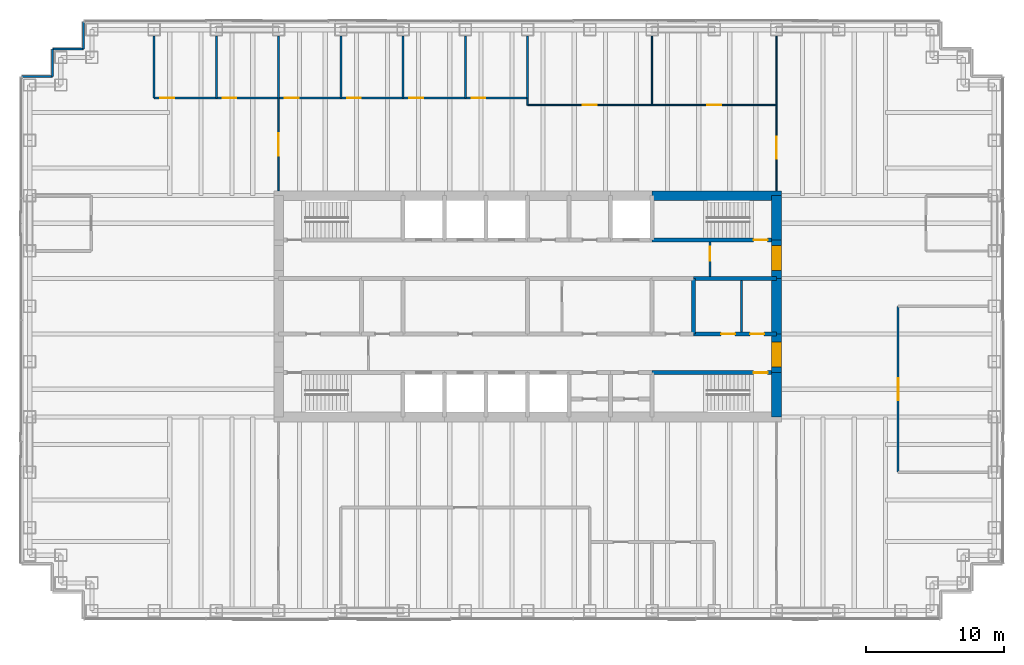
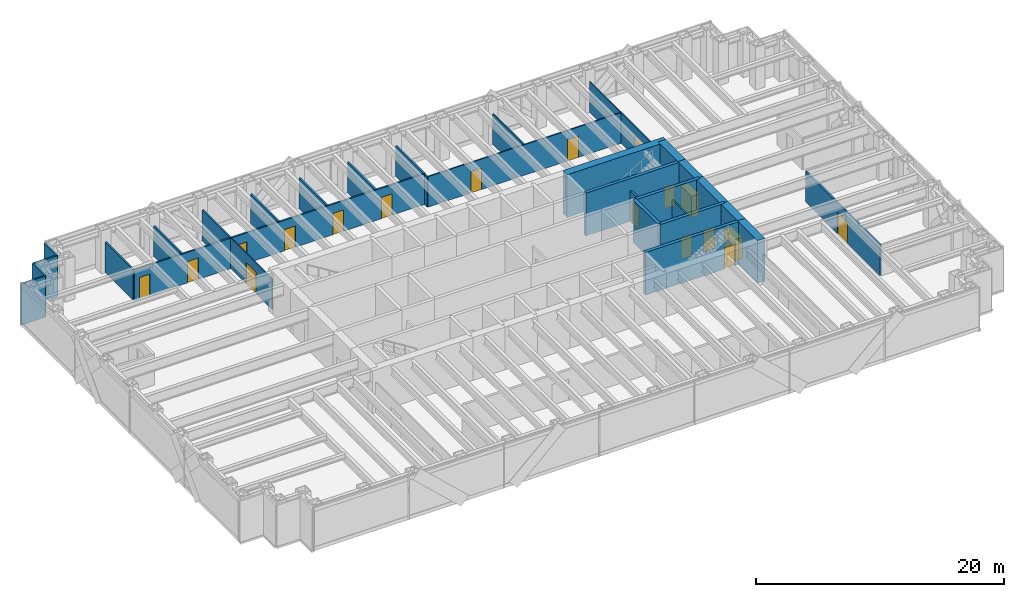
# One storey, part 15 of 17: 31 walls, 18 doors, 18 openings.
"""IFC4 building model written with IfcOpenShell, lengths in metres."""

from ifc_helpers import new_model, si_unit, direction, frame, frame_2d, origin, place, context, subcontext, project, spatial, rectangle, extrude, material, layer, layer_set, type_object, element, fill, save


model = new_model("IFC4")

# Units and contexts
model_context = context("Model", 3, precision=1e-05, world=origin(), true_north=direction((0.0, 1.0)))
body_context = subcontext(model_context, "Body", "Model", "MODEL_VIEW")
ifc_project = project(units=[si_unit("LENGTHUNIT", "METRE"), si_unit("AREAUNIT", "SQUARE_METRE"), si_unit("VOLUMEUNIT", "CUBIC_METRE"), si_unit("PLANEANGLEUNIT", "RADIAN"), si_unit("MASSUNIT", "GRAM", prefix="KILO")], contexts=[model_context])

# Site, building, storey
site_placement = place(None, origin())
site = spatial("IfcSite", under=ifc_project, at=site_placement, CompositionType="ELEMENT")
building_placement = place(site_placement, origin())
building = spatial("IfcBuilding", under=site, at=building_placement, Name="Rheinbord Bourse Tower", CompositionType="ELEMENT")
storey_placement = place(building_placement, frame((0.0, 0.0, 321.5)))
storey = spatial("IfcBuildingStorey", under=building, at=storey_placement, Name="L73", CompositionType="ELEMENT", Elevation=321.5)

# Wall, opening, door
ifc_material_1 = material(Name="Concrete C50/60", Category="concrete")
ifc_layer_1 = layer(ifc_material_1, 0.300048828125)
ifc_layer_set_1 = layer_set([ifc_layer_1], Name="CORE INNER WALL 300")
wall_type_1 = type_object("IfcWallType", Name="CORE INNER WALL 300", PredefinedType="SOLIDWALL", material=ifc_layer_set_1)
wall_1_placement = place(storey_placement, frame((45.0, 19.199951171875, 0.0), z_axis=(0.0, 0.0, 1.0), x_axis=(1.0, 0.0, 0.0)))
wall_1 = element("IfcWall", 1, at=wall_1_placement, inside=storey, type_object=wall_type_1, Name="Core wall A8 L73", PredefinedType="SOLIDWALL", context=body_context, shape_type="SweptSolid", body=[
    extrude(rectangle(XDim=9.0, YDim=0.300048828125, at=frame_2d((4.5, 0.0))), origin(), (0.0, 0.0, 1.0), 4.199951171875),
])
opening_1_placement = place(wall_1_placement, frame((7.35009765625, 0.0, 0.0)))
opening_1 = element("IfcOpeningElement", 2, at=opening_1_placement, cuts=wall_1, Name="Opening 7330", PredefinedType="OPENING", context=body_context, shape_type="SweptSolid", body=[
    extrude(rectangle(XDim=1.0, YDim=2.10009765625, at=frame_2d((0.5, 1.050048828125))), frame((0.0, 0.159912109375, 0.0), z_axis=(0.0, -1.0, 0.0), x_axis=(1.0, 0.0, 0.0)), (0.0, 0.0, 1.0), 0.320068359375),
])
ifc_material_2 = material(Name="Steel door", Category="steel")
door_type_1 = type_object("IfcDoorType", Name="DOOR 1000 EI30", OperationType="SINGLE_SWING_LEFT", PredefinedType="DOOR", material=ifc_material_2)
door_1_placement = place(opening_1_placement, origin())
door_1 = element("IfcDoor", 3, at=door_1_placement, inside=storey, type_object=door_type_1, Name="Stair door ST3 L73", OperationType="SINGLE_SWING_RIGHT", OverallHeight=2.10009765625, OverallWidth=1.0, PredefinedType="DOOR", context=body_context, shape_type="SweptSolid", body=[
    extrude(rectangle(XDim=1.0, YDim=2.10009765625, at=frame_2d((0.5, 1.050048828125))), frame((0.0, 0.02490234375, 0.0), z_axis=(0.0, -1.0, 0.0), x_axis=(1.0, 0.0, 0.0)), (0.0, 0.0, 1.0), 0.050048828125),
])
fill(opening_1, door_1)

wall_2_placement = place(storey_placement, frame((45.0, 28.800048828125, 0.0), z_axis=(0.0, 0.0, 1.0), x_axis=(1.0, 0.0, 0.0)))
wall_2 = element("IfcWall", 4, at=wall_2_placement, inside=storey, type_object=wall_type_1, Name="Core wall B8 L73", PredefinedType="SOLIDWALL", context=body_context, shape_type="SweptSolid", body=[
    extrude(rectangle(XDim=9.0, YDim=0.300048828125, at=frame_2d((4.5, 0.0))), origin(), (0.0, 0.0, 1.0), 4.199951171875),
])
opening_2_placement = place(wall_2_placement, frame((7.35009765625, 0.0, 0.0)))
opening_2 = element("IfcOpeningElement", 5, at=opening_2_placement, cuts=wall_2, Name="Opening 7340", PredefinedType="OPENING", context=body_context, shape_type="SweptSolid", body=[
    extrude(rectangle(XDim=1.0, YDim=2.10009765625, at=frame_2d((0.5, 1.050048828125))), frame((0.0, 0.159912109375, 0.0), z_axis=(0.0, -1.0, 0.0), x_axis=(1.0, 0.0, 0.0)), (0.0, 0.0, 1.0), 0.320068359375),
])
door_2_placement = place(opening_2_placement, origin())
door_2 = element("IfcDoor", 6, at=door_2_placement, inside=storey, type_object=door_type_1, Name="Stair door ST4 L73", OperationType="SINGLE_SWING_RIGHT", OverallHeight=2.10009765625, OverallWidth=1.0, PredefinedType="DOOR", context=body_context, shape_type="SweptSolid", body=[
    extrude(rectangle(XDim=1.0, YDim=2.10009765625, at=frame_2d((0.5, 1.050048828125))), frame((0.0, 0.02490234375, 0.0), z_axis=(0.0, -1.0, 0.0), x_axis=(1.0, 0.0, 0.0)), (0.0, 0.0, 1.0), 0.050048828125),
])
fill(opening_2, door_2)

# Wall, openings, doors
wall_3_placement = place(storey_placement, frame((48.0, 22.0, 0.0), z_axis=(0.0, 0.0, 1.0), x_axis=(1.0, 0.0, 0.0)))
wall_3 = element("IfcWall", 7, at=wall_3_placement, inside=storey, type_object=wall_type_1, Name="Core wall C6 L73", PredefinedType="SOLIDWALL", context=body_context, shape_type="SweptSolid", body=[
    extrude(rectangle(XDim=6.0, YDim=0.300048828125, at=frame_2d((3.0, 0.0))), origin(), (0.0, 0.0, 1.0), 4.199951171875),
])
opening_3_placement = place(wall_3_placement, frame((2.0, 0.0, 0.0)))
opening_3 = element("IfcOpeningElement", 8, at=opening_3_placement, cuts=wall_3, Name="Opening 73R6", PredefinedType="OPENING", context=body_context, shape_type="SweptSolid", body=[
    extrude(rectangle(XDim=1.0, YDim=2.10009765625, at=frame_2d((0.5, 1.050048828125))), frame((0.0, 0.159912109375, 0.0), z_axis=(0.0, -1.0, 0.0), x_axis=(1.0, 0.0, 0.0)), (0.0, 0.0, 1.0), 0.320068359375),
])
opening_4_placement = place(wall_3_placement, frame((4.10009765625, 0.0, 0.0)))
opening_4 = element("IfcOpeningElement", 9, at=opening_4_placement, cuts=wall_3, Name="Opening 73R10", PredefinedType="OPENING", context=body_context, shape_type="SweptSolid", body=[
    extrude(rectangle(XDim=1.0, YDim=2.10009765625, at=frame_2d((0.5, 1.050048828125))), frame((0.0, 0.159912109375, 0.0), z_axis=(0.0, -1.0, 0.0), x_axis=(1.0, 0.0, 0.0)), (0.0, 0.0, 1.0), 0.320068359375),
])
door_3_placement = place(opening_4_placement, origin())
door_3 = element("IfcDoor", 10, at=door_3_placement, inside=storey, type_object=door_type_1, Name="Baby change door L73", OperationType="SINGLE_SWING_RIGHT", OverallHeight=2.10009765625, OverallWidth=1.0, PredefinedType="DOOR", context=body_context, shape_type="SweptSolid", body=[
    extrude(rectangle(XDim=1.0, YDim=2.10009765625, at=frame_2d((0.5, 1.050048828125))), frame((0.0, 0.02490234375, 0.0), z_axis=(0.0, -1.0, 0.0), x_axis=(1.0, 0.0, 0.0)), (0.0, 0.0, 1.0), 0.050048828125),
])
fill(opening_4, door_3)
ifc_material_3 = material(Name="Timber door", Category="wood")
door_type_2 = type_object("IfcDoorType", Name="DOOR 1000 WC", OperationType="SINGLE_SWING_LEFT", PredefinedType="DOOR", material=ifc_material_3)
door_4_placement = place(opening_3_placement, origin())
door_4 = element("IfcDoor", 11, at=door_4_placement, inside=storey, type_object=door_type_2, Name="WC women door L73", OperationType="SINGLE_SWING_LEFT", OverallHeight=2.10009765625, OverallWidth=1.0, PredefinedType="DOOR", context=body_context, shape_type="SweptSolid", body=[
    extrude(rectangle(XDim=1.0, YDim=2.10009765625, at=frame_2d((0.5, 1.050048828125))), frame((0.0, 0.02490234375, 0.0), z_axis=(0.0, -1.0, 0.0), x_axis=(1.0, 0.0, 0.0)), (0.0, 0.0, 1.0), 0.050048828125),
])
fill(opening_3, door_4)

# Walls
wall_4_placement = place(storey_placement, frame((48.0, 26.0, 0.0), z_axis=(0.0, 0.0, 1.0), x_axis=(1.0, 0.0, 0.0)))
element("IfcWall", 12, at=wall_4_placement, inside=storey, type_object=wall_type_1, Name="Core wall D6 L73", PredefinedType="SOLIDWALL", context=body_context, shape_type="SweptSolid", body=[
    extrude(rectangle(XDim=6.0, YDim=0.300048828125, at=frame_2d((3.0, 0.0))), origin(), (0.0, 0.0, 1.0), 4.199951171875),
])
wall_5_placement = place(storey_placement, frame((48.0, 22.0, 0.0), z_axis=(0.0, 0.0, 1.0), x_axis=(0.0, 1.0, 0.0)))
element("IfcWall", 13, at=wall_5_placement, inside=storey, type_object=wall_type_1, Name="Core wall MX48 L73", PredefinedType="SOLIDWALL", context=body_context, shape_type="SweptSolid", body=[
    extrude(rectangle(XDim=4.0, YDim=0.300048828125, at=frame_2d((2.0, 0.0))), origin(), (0.0, 0.0, 1.0), 4.199951171875),
])
ifc_material_4 = material(Name="Gypsum board fire partition", Category="gypsum board")
ifc_layer_2 = layer(ifc_material_4, 0.14990234375)
ifc_layer_set_2 = layer_set([ifc_layer_2], Name="CORE PARTITION 150 EI30")
wall_type_2 = type_object("IfcWallType", Name="CORE PARTITION 150 EI30", PredefinedType="PARTITIONING", material=ifc_layer_set_2)
wall_6_placement = place(storey_placement, frame((51.47509765625, 22.14990234375, 0.0), z_axis=(0.0, 0.0, 1.0), x_axis=(0.0, 1.0, 0.0)))
element("IfcWall", 14, at=wall_6_placement, inside=storey, type_object=wall_type_2, Name="Core partition L73-3", PredefinedType="PARTITIONING", context=body_context, shape_type="SweptSolid", body=[
    extrude(rectangle(XDim=3.7001953125, YDim=0.14990234375, at=frame_2d((1.85009765625, 0.0))), origin(), (0.0, 0.0, 1.0), 3.0),
])

# Wall, opening, door
wall_7_placement = place(storey_placement, frame((49.199951171875, 26.14990234375, 0.0), z_axis=(0.0, 0.0, 1.0), x_axis=(0.0, 1.0, 0.0)))
wall_7 = element("IfcWall", 15, at=wall_7_placement, inside=storey, type_object=wall_type_2, Name="Core partition L73-5", PredefinedType="PARTITIONING", context=body_context, shape_type="SweptSolid", body=[
    extrude(rectangle(XDim=2.5, YDim=0.14990234375, at=frame_2d((1.25, 0.0))), origin(), (0.0, 0.0, 1.0), 3.0),
])
opening_5_placement = place(wall_7_placement, frame((1.14990234375, 0.0, 0.0)))
opening_5 = element("IfcOpeningElement", 16, at=opening_5_placement, cuts=wall_7, Name="Opening 73L6", PredefinedType="OPENING", context=body_context, shape_type="SweptSolid", body=[
    extrude(rectangle(XDim=1.0, YDim=2.10009765625, at=frame_2d((0.5, 1.050048828125))), frame((0.0, 0.0849609375, 0.0), z_axis=(0.0, -1.0, 0.0), x_axis=(1.0, 0.0, 0.0)), (0.0, 0.0, 1.0), 0.169921875),
])
door_5_placement = place(opening_5_placement, origin())
door_5 = element("IfcDoor", 17, at=door_5_placement, inside=storey, type_object=door_type_1, Name="Stair lobby door L73", OperationType="SINGLE_SWING_RIGHT", OverallHeight=2.10009765625, OverallWidth=1.0, PredefinedType="DOOR", context=body_context, shape_type="SweptSolid", body=[
    extrude(rectangle(XDim=1.0, YDim=2.10009765625, at=frame_2d((0.5, 1.050048828125))), frame((0.0, 0.02490234375, 0.0), z_axis=(0.0, -1.0, 0.0), x_axis=(1.0, 0.0, 0.0)), (0.0, 0.0, 1.0), 0.050048828125),
])
fill(opening_5, door_5)

# Walls
ifc_material_5 = material(Name="Concrete C50/60", Category="concrete")
ifc_layer_3 = layer(ifc_material_5, 0.699951171875)
ifc_layer_set_3 = layer_set([ifc_layer_3], Name="CORE WALL 700")
wall_type_3 = type_object("IfcWallType", Name="CORE WALL 700", PredefinedType="SHEAR", material=ifc_layer_set_3)
wall_8_placement = place(storey_placement, frame((54.35009765625, 32.0, 0.0), z_axis=(0.0, 0.0, 1.0), x_axis=(-1.0, 0.0, 0.0)))
element("IfcWall", 18, at=wall_8_placement, inside=storey, type_object=wall_type_3, Name="Core wall N1 L73", PredefinedType="SHEAR", context=body_context, shape_type="SweptSolid", body=[
    extrude(rectangle(XDim=9.35009765625, YDim=0.699951171875, at=frame_2d((4.675048828125, 0.0))), origin(), (0.0, 0.0, 1.0), 4.199951171875),
])
wall_9_placement = place(storey_placement, frame((54.0, 16.0, 0.0), z_axis=(0.0, 0.0, 1.0), x_axis=(0.0, 1.0, 0.0)))
element("IfcWall", 19, at=wall_9_placement, inside=storey, type_object=wall_type_3, Name="Core wall E1 L73", PredefinedType="SHEAR", context=body_context, shape_type="SweptSolid", body=[
    extrude(rectangle(XDim=3.199951171875, YDim=0.699951171875, at=frame_2d((1.60009765625, 0.0))), origin(), (0.0, 0.0, 1.0), 4.199951171875),
])

# Wall, opening, door
wall_10_placement = place(storey_placement, frame((54.0, 19.199951171875, 0.0), z_axis=(0.0, 0.0, 1.0), x_axis=(0.0, 1.0, 0.0)))
wall_10 = element("IfcWall", 20, at=wall_10_placement, inside=storey, type_object=wall_type_3, Name="Core wall E2 L73", PredefinedType="SHEAR", context=body_context, shape_type="SweptSolid", body=[
    extrude(rectangle(XDim=2.800048828125, YDim=0.699951171875, at=frame_2d((1.39990234375, 0.0))), origin(), (0.0, 0.0, 1.0), 4.199951171875),
])
opening_6_placement = place(wall_10_placement, frame((0.39990234375, 0.0, 0.0)))
opening_6 = element("IfcOpeningElement", 21, at=opening_6_placement, cuts=wall_10, Name="Opening 73L3", PredefinedType="OPENING", context=body_context, shape_type="SweptSolid", body=[
    extrude(rectangle(XDim=1.800048828125, YDim=2.10009765625, at=frame_2d((0.89990234375, 1.050048828125))), frame((0.0, 0.35986328125, 0.0), z_axis=(0.0, -1.0, 0.0), x_axis=(1.0, 0.0, 0.0)), (0.0, 0.0, 1.0), 0.719970703125),
])
ifc_material_6 = material(Name="Steel door", Category="steel")
door_type_3 = type_object("IfcDoorType", Name="DOOR 1800 EI30 DOUBLE", OperationType="DOUBLE_DOOR_DOUBLE_SWING", PredefinedType="DOOR", material=ifc_material_6)
door_6_placement = place(opening_6_placement, origin())
door_6 = element("IfcDoor", 22, at=door_6_placement, inside=storey, type_object=door_type_3, Name="Lobby door 3 L73", OperationType="SINGLE_SWING_LEFT", OverallHeight=2.10009765625, OverallWidth=1.800048828125, PredefinedType="DOOR", context=body_context, shape_type="SweptSolid", body=[
    extrude(rectangle(XDim=1.800048828125, YDim=2.10009765625, at=frame_2d((0.89990234375, 1.050048828125))), frame((0.0, 0.349609375, 0.0), z_axis=(0.0, -1.0, 0.0), x_axis=(1.0, 0.0, 0.0)), (0.0, 0.0, 1.0), 0.699462890625),
])
fill(opening_6, door_6)

# Wall
wall_11_placement = place(storey_placement, frame((54.0, 22.0, 0.0), z_axis=(0.0, 0.0, 1.0), x_axis=(0.0, 1.0, 0.0)))
element("IfcWall", 23, at=wall_11_placement, inside=storey, type_object=wall_type_3, Name="Core wall E3 L73", PredefinedType="SHEAR", context=body_context, shape_type="SweptSolid", body=[
    extrude(rectangle(XDim=4.0, YDim=0.699951171875, at=frame_2d((2.0, 0.0))), origin(), (0.0, 0.0, 1.0), 4.199951171875),
])

# Wall, opening, door
wall_12_placement = place(storey_placement, frame((54.0, 26.0, 0.0), z_axis=(0.0, 0.0, 1.0), x_axis=(0.0, 1.0, 0.0)))
wall_12 = element("IfcWall", 24, at=wall_12_placement, inside=storey, type_object=wall_type_3, Name="Core wall E4 L73", PredefinedType="SHEAR", context=body_context, shape_type="SweptSolid", body=[
    extrude(rectangle(XDim=2.800048828125, YDim=0.699951171875, at=frame_2d((1.39990234375, 0.0))), origin(), (0.0, 0.0, 1.0), 4.199951171875),
])
opening_7_placement = place(wall_12_placement, frame((0.60009765625, 0.0, 0.0)))
opening_7 = element("IfcOpeningElement", 25, at=opening_7_placement, cuts=wall_12, Name="Opening 73L4", PredefinedType="OPENING", context=body_context, shape_type="SweptSolid", body=[
    extrude(rectangle(XDim=1.800048828125, YDim=2.10009765625, at=frame_2d((0.89990234375, 1.050048828125))), frame((0.0, 0.35986328125, 0.0), z_axis=(0.0, -1.0, 0.0), x_axis=(1.0, 0.0, 0.0)), (0.0, 0.0, 1.0), 0.719970703125),
])
door_7_placement = place(opening_7_placement, origin())
door_7 = element("IfcDoor", 26, at=door_7_placement, inside=storey, type_object=door_type_3, Name="Lobby door 4 L73", OperationType="SINGLE_SWING_LEFT", OverallHeight=2.10009765625, OverallWidth=1.800048828125, PredefinedType="DOOR", context=body_context, shape_type="SweptSolid", body=[
    extrude(rectangle(XDim=1.800048828125, YDim=2.10009765625, at=frame_2d((0.89990234375, 1.050048828125))), frame((0.0, 0.349609375, 0.0), z_axis=(0.0, -1.0, 0.0), x_axis=(1.0, 0.0, 0.0)), (0.0, 0.0, 1.0), 0.699462890625),
])
fill(opening_7, door_7)

# Walls
wall_13_placement = place(storey_placement, frame((54.0, 28.800048828125, 0.0), z_axis=(0.0, 0.0, 1.0), x_axis=(0.0, 1.0, 0.0)))
element("IfcWall", 27, at=wall_13_placement, inside=storey, type_object=wall_type_3, Name="Core wall E5 L73", PredefinedType="SHEAR", context=body_context, shape_type="SweptSolid", body=[
    extrude(rectangle(XDim=3.199951171875, YDim=0.699951171875, at=frame_2d((1.60009765625, 0.0))), origin(), (0.0, 0.0, 1.0), 4.199951171875),
])
ifc_material_7 = material(Name="Black metal rainscreen panel", Category="aluminium")
ifc_layer_4 = layer(ifc_material_7, 0.14990234375)
ifc_layer_set_4 = layer_set([ifc_layer_4], Name="CORNER PIER CLADDING 150")
wall_type_4 = type_object("IfcWallType", Name="CORNER PIER CLADDING 150", PredefinedType="ELEMENTEDWALL", material=ifc_layer_set_4)
wall_14_placement = place(storey_placement, frame((3.89990234375, 44.60009765625, 0.0), z_axis=(0.0, 0.0, 1.0), x_axis=(0.0, -1.0, 0.0)))
element("IfcWall", 28, at=wall_14_placement, inside=storey, type_object=wall_type_4, Name="Corner pier cladding L73 12", PredefinedType="ELEMENTEDWALL", context=body_context, shape_type="SweptSolid", body=[
    extrude(rectangle(XDim=2.0, YDim=0.14990234375, at=frame_2d((1.0, 0.0))), origin(), (0.0, 0.0, 1.0), 4.0400390625),
])
wall_15_placement = place(storey_placement, frame((3.89990234375, 42.60009765625, 0.0), z_axis=(0.0, 0.0, 1.0), x_axis=(-1.0, 0.0, 0.0)))
element("IfcWall", 29, at=wall_15_placement, inside=storey, type_object=wall_type_4, Name="Corner pier cladding L73 13", PredefinedType="ELEMENTEDWALL", context=body_context, shape_type="SweptSolid", body=[
    extrude(rectangle(XDim=2.25, YDim=0.14990234375, at=frame_2d((1.125, 0.0))), origin(), (0.0, 0.0, 1.0), 4.0400390625),
])
wall_16_placement = place(storey_placement, frame((1.64990234375, 42.60009765625, 0.0), z_axis=(0.0, 0.0, 1.0), x_axis=(0.0, -1.0, 0.0)))
element("IfcWall", 30, at=wall_16_placement, inside=storey, type_object=wall_type_4, Name="Corner pier cladding L73 14", PredefinedType="ELEMENTEDWALL", context=body_context, shape_type="SweptSolid", body=[
    extrude(rectangle(XDim=2.0, YDim=0.14990234375, at=frame_2d((1.0, 0.0))), origin(), (0.0, 0.0, 1.0), 4.0400390625),
])
wall_17_placement = place(storey_placement, frame((1.64990234375, 40.60009765625, 0.0), z_axis=(0.0, 0.0, 1.0), x_axis=(-1.0, 0.0, 0.0)))
element("IfcWall", 31, at=wall_17_placement, inside=storey, type_object=wall_type_4, Name="Corner pier cladding L73 15", PredefinedType="ELEMENTEDWALL", context=body_context, shape_type="SweptSolid", body=[
    extrude(rectangle(XDim=2.25, YDim=0.14990234375, at=frame_2d((1.125, 0.0))), origin(), (0.0, 0.0, 1.0), 4.0400390625),
])

# Wall, openings, doors
ifc_material_8 = material(Name="Toughened laminated glass partition", Category="glass")
ifc_layer_5 = layer(ifc_material_8, 0.10009765625)
ifc_layer_set_5 = layer_set([ifc_layer_5], Name="GLAZED PARTITION 100")
wall_type_5 = type_object("IfcWallType", Name="GLAZED PARTITION 100", PredefinedType="PARTITIONING", material=ifc_layer_set_5)
wall_18_placement = place(storey_placement, frame((36.0, 38.550048828125, 0.0), z_axis=(0.0, 0.0, 1.0), x_axis=(1.0, 0.0, 0.0)))
wall_18 = element("IfcWall", 32, at=wall_18_placement, inside=storey, type_object=wall_type_5, Name="Partition L73-09", PredefinedType="PARTITIONING", context=body_context, shape_type="SweptSolid", body=[
    extrude(rectangle(XDim=18.0, YDim=0.10009765625, at=frame_2d((9.0, 0.0))), origin(), (0.0, 0.0, 1.0), 3.0),
])
opening_8_placement = place(wall_18_placement, frame((4.0, 0.0, 0.0)))
opening_8 = element("IfcOpeningElement", 33, at=opening_8_placement, cuts=wall_18, Name="Opening 73D07", PredefinedType="OPENING", context=body_context, shape_type="SweptSolid", body=[
    extrude(rectangle(XDim=1.0, YDim=2.10009765625, at=frame_2d((0.5, 1.050048828125))), frame((0.0, 0.06005859375, 0.0), z_axis=(0.0, -1.0, 0.0), x_axis=(1.0, 0.0, 0.0)), (0.0, 0.0, 1.0), 0.1201171875),
])
opening_9_placement = place(wall_18_placement, frame((13.0, 0.0, 0.0)))
opening_9 = element("IfcOpeningElement", 34, at=opening_9_placement, cuts=wall_18, Name="Opening 73D08", PredefinedType="OPENING", context=body_context, shape_type="SweptSolid", body=[
    extrude(rectangle(XDim=1.0, YDim=2.10009765625, at=frame_2d((0.5, 1.050048828125))), frame((0.0, 0.06005859375, 0.0), z_axis=(0.0, -1.0, 0.0), x_axis=(1.0, 0.0, 0.0)), (0.0, 0.0, 1.0), 0.1201171875),
])
ifc_material_9 = material(Name="Timber door", Category="wood")
door_type_4 = type_object("IfcDoorType", Name="ROOM DOOR 1000", OperationType="SINGLE_SWING_LEFT", PredefinedType="DOOR", material=ifc_material_9)
door_8_placement = place(opening_8_placement, origin())
door_8 = element("IfcDoor", 35, at=door_8_placement, inside=storey, type_object=door_type_4, Name="Meeting room door L73", OperationType="SINGLE_SWING_LEFT", OverallHeight=2.10009765625, OverallWidth=1.0, PredefinedType="DOOR", context=body_context, shape_type="SweptSolid", body=[
    extrude(rectangle(XDim=1.0, YDim=2.10009765625, at=frame_2d((0.5, 1.050048828125))), frame((0.0, 0.02490234375, 0.0), z_axis=(0.0, -1.0, 0.0), x_axis=(1.0, 0.0, 0.0)), (0.0, 0.0, 1.0), 0.050048828125),
])
fill(opening_8, door_8)
door_9_placement = place(opening_9_placement, origin())
door_9 = element("IfcDoor", 36, at=door_9_placement, inside=storey, type_object=door_type_4, Name="Meeting room door L73", OperationType="SINGLE_SWING_RIGHT", OverallHeight=2.10009765625, OverallWidth=1.0, PredefinedType="DOOR", context=body_context, shape_type="SweptSolid", body=[
    extrude(rectangle(XDim=1.0, YDim=2.10009765625, at=frame_2d((0.5, 1.050048828125))), frame((0.0, 0.02490234375, 0.0), z_axis=(0.0, -1.0, 0.0), x_axis=(1.0, 0.0, 0.0)), (0.0, 0.0, 1.0), 0.050048828125),
])
fill(opening_9, door_9)

# Wall, opening, door
wall_19_placement = place(storey_placement, frame((18.0, 32.35009765625, 0.0), z_axis=(0.0, 0.0, 1.0), x_axis=(0.0, 1.0, 0.0)))
wall_19 = element("IfcWall", 37, at=wall_19_placement, inside=storey, type_object=wall_type_5, Name="Partition L73-15", PredefinedType="PARTITIONING", context=body_context, shape_type="SweptSolid", body=[
    extrude(rectangle(XDim=6.699951171875, YDim=0.10009765625, at=frame_2d((3.35009765625, 0.0))), origin(), (0.0, 0.0, 1.0), 3.0),
])
opening_10_placement = place(wall_19_placement, frame((2.550048828125, 0.0, 0.0)))
opening_10 = element("IfcOpeningElement", 38, at=opening_10_placement, cuts=wall_19, Name="Opening 73D17", PredefinedType="OPENING", context=body_context, shape_type="SweptSolid", body=[
    extrude(rectangle(XDim=1.60009765625, YDim=2.10009765625, at=frame_2d((0.800048828125, 1.050048828125))), frame((0.0, 0.06005859375, 0.0), z_axis=(0.0, -1.0, 0.0), x_axis=(1.0, 0.0, 0.0)), (0.0, 0.0, 1.0), 0.1201171875),
])
ifc_material_10 = material(Name="Timber door", Category="wood")
door_type_5 = type_object("IfcDoorType", Name="DOUBLE ROOM DOOR 1600", OperationType="DOUBLE_DOOR_DOUBLE_SWING", PredefinedType="DOOR", material=ifc_material_10)
door_10_placement = place(opening_10_placement, origin())
door_10 = element("IfcDoor", 39, at=door_10_placement, inside=storey, type_object=door_type_5, Name="Open area door L73", OperationType="SINGLE_SWING_LEFT", OverallHeight=2.10009765625, OverallWidth=1.60009765625, PredefinedType="DOOR", context=body_context, shape_type="SweptSolid", body=[
    extrude(rectangle(XDim=1.60009765625, YDim=2.10009765625, at=frame_2d((0.800048828125, 1.050048828125))), frame((0.0, 0.02490234375, 0.0), z_axis=(0.0, -1.0, 0.0), x_axis=(1.0, 0.0, 0.0)), (0.0, 0.0, 1.0), 0.050048828125),
])
fill(opening_10, door_10)

# Walls
wall_20_placement = place(storey_placement, frame((36.0, 38.550048828125, 0.0), z_axis=(0.0, 0.0, 1.0), x_axis=(0.0, 1.0, 0.0)))
element("IfcWall", 40, at=wall_20_placement, inside=storey, type_object=wall_type_5, Name="Partition L73-21", PredefinedType="PARTITIONING", context=body_context, shape_type="SweptSolid", body=[
    extrude(rectangle(XDim=0.5, YDim=0.10009765625, at=frame_2d((0.25, 0.0))), origin(), (0.0, 0.0, 1.0), 3.0),
])
wall_21_placement = place(storey_placement, frame((45.0, 38.550048828125, 0.0), z_axis=(0.0, 0.0, 1.0), x_axis=(0.0, 1.0, 0.0)))
element("IfcWall", 41, at=wall_21_placement, inside=storey, type_object=wall_type_5, Name="Partition L73-25", PredefinedType="PARTITIONING", context=body_context, shape_type="SweptSolid", body=[
    extrude(rectangle(XDim=5.0, YDim=0.10009765625, at=frame_2d((2.5, 0.0))), origin(), (0.0, 0.0, 1.0), 3.0),
])

# Wall, opening, door
wall_22_placement = place(storey_placement, frame((54.0, 32.35009765625, 0.0), z_axis=(0.0, 0.0, 1.0), x_axis=(0.0, 1.0, 0.0)))
wall_22 = element("IfcWall", 42, at=wall_22_placement, inside=storey, type_object=wall_type_5, Name="Partition L73-28", PredefinedType="PARTITIONING", context=body_context, shape_type="SweptSolid", body=[
    extrude(rectangle(XDim=11.199951171875, YDim=0.10009765625, at=frame_2d((5.60009765625, 0.0))), origin(), (0.0, 0.0, 1.0), 3.0),
])
opening_11_placement = place(wall_22_placement, frame((2.300048828125, 0.0, 0.0)))
opening_11 = element("IfcOpeningElement", 43, at=opening_11_placement, cuts=wall_22, Name="Opening 73D20", PredefinedType="OPENING", context=body_context, shape_type="SweptSolid", body=[
    extrude(rectangle(XDim=1.60009765625, YDim=2.10009765625, at=frame_2d((0.800048828125, 1.050048828125))), frame((0.0, 0.06005859375, 0.0), z_axis=(0.0, -1.0, 0.0), x_axis=(1.0, 0.0, 0.0)), (0.0, 0.0, 1.0), 0.1201171875),
])
door_11_placement = place(opening_11_placement, origin())
door_11 = element("IfcDoor", 44, at=door_11_placement, inside=storey, type_object=door_type_5, Name="Open area door L73", OperationType="SINGLE_SWING_LEFT", OverallHeight=2.10009765625, OverallWidth=1.60009765625, PredefinedType="DOOR", context=body_context, shape_type="SweptSolid", body=[
    extrude(rectangle(XDim=1.60009765625, YDim=2.10009765625, at=frame_2d((0.800048828125, 1.050048828125))), frame((0.0, 0.02490234375, 0.0), z_axis=(0.0, -1.0, 0.0), x_axis=(1.0, 0.0, 0.0)), (0.0, 0.0, 1.0), 0.050048828125),
])
fill(opening_11, door_11)

# Wall, openings, doors
ifc_material_11 = material(Name="Gypsum board partition", Category="gypsum board")
ifc_layer_6 = layer(ifc_material_11, 0.14990234375)
ifc_layer_set_6 = layer_set([ifc_layer_6], Name="PARTITION 150")
wall_type_6 = type_object("IfcWallType", Name="PARTITION 150", PredefinedType="PARTITIONING", material=ifc_layer_set_6)
wall_23_placement = place(storey_placement, frame((9.0, 39.050048828125, 0.0), z_axis=(0.0, 0.0, 1.0), x_axis=(1.0, 0.0, 0.0)))
wall_23 = element("IfcWall", 45, at=wall_23_placement, inside=storey, type_object=wall_type_6, Name="Partition L73-10", PredefinedType="PARTITIONING", context=body_context, shape_type="SweptSolid", body=[
    extrude(rectangle(XDim=27.0, YDim=0.14990234375, at=frame_2d((13.5, 0.0))), origin(), (0.0, 0.0, 1.0), 3.0),
])
opening_12_placement = place(wall_23_placement, frame((0.449951171875, 0.0, 0.0)))
opening_12 = element("IfcOpeningElement", 46, at=opening_12_placement, cuts=wall_23, Name="Opening 73D09", PredefinedType="OPENING", context=body_context, shape_type="SweptSolid", body=[
    extrude(rectangle(XDim=1.0, YDim=2.10009765625, at=frame_2d((0.5, 1.050048828125))), frame((0.0, 0.0849609375, 0.0), z_axis=(0.0, -1.0, 0.0), x_axis=(1.0, 0.0, 0.0)), (0.0, 0.0, 1.0), 0.169921875),
])
opening_13_placement = place(wall_23_placement, frame((4.949951171875, 0.0, 0.0)))
opening_13 = element("IfcOpeningElement", 47, at=opening_13_placement, cuts=wall_23, Name="Opening 73D10", PredefinedType="OPENING", context=body_context, shape_type="SweptSolid", body=[
    extrude(rectangle(XDim=1.0, YDim=2.10009765625, at=frame_2d((0.5, 1.050048828125))), frame((0.0, 0.0849609375, 0.0), z_axis=(0.0, -1.0, 0.0), x_axis=(1.0, 0.0, 0.0)), (0.0, 0.0, 1.0), 0.169921875),
])
opening_14_placement = place(wall_23_placement, frame((9.449951171875, 0.0, 0.0)))
opening_14 = element("IfcOpeningElement", 48, at=opening_14_placement, cuts=wall_23, Name="Opening 73D11", PredefinedType="OPENING", context=body_context, shape_type="SweptSolid", body=[
    extrude(rectangle(XDim=1.0, YDim=2.10009765625, at=frame_2d((0.5, 1.050048828125))), frame((0.0, 0.0849609375, 0.0), z_axis=(0.0, -1.0, 0.0), x_axis=(1.0, 0.0, 0.0)), (0.0, 0.0, 1.0), 0.169921875),
])
opening_15_placement = place(wall_23_placement, frame((13.949951171875, 0.0, 0.0)))
opening_15 = element("IfcOpeningElement", 49, at=opening_15_placement, cuts=wall_23, Name="Opening 73D12", PredefinedType="OPENING", context=body_context, shape_type="SweptSolid", body=[
    extrude(rectangle(XDim=1.0, YDim=2.10009765625, at=frame_2d((0.5, 1.050048828125))), frame((0.0, 0.0849609375, 0.0), z_axis=(0.0, -1.0, 0.0), x_axis=(1.0, 0.0, 0.0)), (0.0, 0.0, 1.0), 0.169921875),
])
opening_16_placement = place(wall_23_placement, frame((18.449951171875, 0.0, 0.0)))
opening_16 = element("IfcOpeningElement", 50, at=opening_16_placement, cuts=wall_23, Name="Opening 73D13", PredefinedType="OPENING", context=body_context, shape_type="SweptSolid", body=[
    extrude(rectangle(XDim=1.0, YDim=2.10009765625, at=frame_2d((0.5, 1.050048828125))), frame((0.0, 0.0849609375, 0.0), z_axis=(0.0, -1.0, 0.0), x_axis=(1.0, 0.0, 0.0)), (0.0, 0.0, 1.0), 0.169921875),
])
opening_17_placement = place(wall_23_placement, frame((22.949951171875, 0.0, 0.0)))
opening_17 = element("IfcOpeningElement", 51, at=opening_17_placement, cuts=wall_23, Name="Opening 73D14", PredefinedType="OPENING", context=body_context, shape_type="SweptSolid", body=[
    extrude(rectangle(XDim=1.0, YDim=2.10009765625, at=frame_2d((0.5, 1.050048828125))), frame((0.0, 0.0849609375, 0.0), z_axis=(0.0, -1.0, 0.0), x_axis=(1.0, 0.0, 0.0)), (0.0, 0.0, 1.0), 0.169921875),
])
door_12_placement = place(opening_12_placement, origin())
door_12 = element("IfcDoor", 52, at=door_12_placement, inside=storey, type_object=door_type_4, Name="Office door L73", OperationType="SINGLE_SWING_LEFT", OverallHeight=2.10009765625, OverallWidth=1.0, PredefinedType="DOOR", context=body_context, shape_type="SweptSolid", body=[
    extrude(rectangle(XDim=1.0, YDim=2.10009765625, at=frame_2d((0.5, 1.050048828125))), frame((0.0, 0.02490234375, 0.0), z_axis=(0.0, -1.0, 0.0), x_axis=(1.0, 0.0, 0.0)), (0.0, 0.0, 1.0), 0.050048828125),
])
fill(opening_12, door_12)
door_13_placement = place(opening_13_placement, origin())
door_13 = element("IfcDoor", 53, at=door_13_placement, inside=storey, type_object=door_type_4, Name="Office door L73", OperationType="SINGLE_SWING_LEFT", OverallHeight=2.10009765625, OverallWidth=1.0, PredefinedType="DOOR", context=body_context, shape_type="SweptSolid", body=[
    extrude(rectangle(XDim=1.0, YDim=2.10009765625, at=frame_2d((0.5, 1.050048828125))), frame((0.0, 0.02490234375, 0.0), z_axis=(0.0, -1.0, 0.0), x_axis=(1.0, 0.0, 0.0)), (0.0, 0.0, 1.0), 0.050048828125),
])
fill(opening_13, door_13)
door_14_placement = place(opening_14_placement, origin())
door_14 = element("IfcDoor", 54, at=door_14_placement, inside=storey, type_object=door_type_4, Name="Office door L73", OperationType="SINGLE_SWING_LEFT", OverallHeight=2.10009765625, OverallWidth=1.0, PredefinedType="DOOR", context=body_context, shape_type="SweptSolid", body=[
    extrude(rectangle(XDim=1.0, YDim=2.10009765625, at=frame_2d((0.5, 1.050048828125))), frame((0.0, 0.02490234375, 0.0), z_axis=(0.0, -1.0, 0.0), x_axis=(1.0, 0.0, 0.0)), (0.0, 0.0, 1.0), 0.050048828125),
])
fill(opening_14, door_14)
door_15_placement = place(opening_15_placement, origin())
door_15 = element("IfcDoor", 55, at=door_15_placement, inside=storey, type_object=door_type_4, Name="Office door L73", OperationType="SINGLE_SWING_RIGHT", OverallHeight=2.10009765625, OverallWidth=1.0, PredefinedType="DOOR", context=body_context, shape_type="SweptSolid", body=[
    extrude(rectangle(XDim=1.0, YDim=2.10009765625, at=frame_2d((0.5, 1.050048828125))), frame((0.0, 0.02490234375, 0.0), z_axis=(0.0, -1.0, 0.0), x_axis=(1.0, 0.0, 0.0)), (0.0, 0.0, 1.0), 0.050048828125),
])
fill(opening_15, door_15)
door_16_placement = place(opening_16_placement, origin())
door_16 = element("IfcDoor", 56, at=door_16_placement, inside=storey, type_object=door_type_4, Name="Office door L73", OperationType="SINGLE_SWING_RIGHT", OverallHeight=2.10009765625, OverallWidth=1.0, PredefinedType="DOOR", context=body_context, shape_type="SweptSolid", body=[
    extrude(rectangle(XDim=1.0, YDim=2.10009765625, at=frame_2d((0.5, 1.050048828125))), frame((0.0, 0.02490234375, 0.0), z_axis=(0.0, -1.0, 0.0), x_axis=(1.0, 0.0, 0.0)), (0.0, 0.0, 1.0), 0.050048828125),
])
fill(opening_16, door_16)
door_17_placement = place(opening_17_placement, origin())
door_17 = element("IfcDoor", 57, at=door_17_placement, inside=storey, type_object=door_type_4, Name="Office door L73", OperationType="SINGLE_SWING_RIGHT", OverallHeight=2.10009765625, OverallWidth=1.0, PredefinedType="DOOR", context=body_context, shape_type="SweptSolid", body=[
    extrude(rectangle(XDim=1.0, YDim=2.10009765625, at=frame_2d((0.5, 1.050048828125))), frame((0.0, 0.02490234375, 0.0), z_axis=(0.0, -1.0, 0.0), x_axis=(1.0, 0.0, 0.0)), (0.0, 0.0, 1.0), 0.050048828125),
])
fill(opening_17, door_17)

# Walls
for number, where, z_axis, x_axis, name in (
    (58, (9.0, 39.050048828125, 0.0), (0.0, 0.0, 1.0), (0.0, 1.0, 0.0), "Partition L73-12"),
    (59, (13.5, 39.050048828125, 0.0), (0.0, 0.0, 1.0), (0.0, 1.0, 0.0), "Partition L73-13"),
    (60, (18.0, 39.050048828125, 0.0), (0.0, 0.0, 1.0), (0.0, 1.0, 0.0), "Partition L73-16"),
    (61, (22.5, 39.050048828125, 0.0), (0.0, 0.0, 1.0), (0.0, 1.0, 0.0), "Partition L73-18"),
    (62, (27.0, 39.050048828125, 0.0), (0.0, 0.0, 1.0), (0.0, 1.0, 0.0), "Partition L73-19"),
    (63, (31.5, 39.050048828125, 0.0), (0.0, 0.0, 1.0), (0.0, 1.0, 0.0), "Partition L73-20"),
    (64, (36.0, 39.050048828125, 0.0), (0.0, 0.0, 1.0), (0.0, 1.0, 0.0), "Partition L73-22"),
):
    element("IfcWall", number, at=place(storey_placement, frame(where, z_axis=z_axis, x_axis=x_axis)), inside=storey, type_object=wall_type_6, Name=name, PredefinedType="PARTITIONING", context=body_context, shape_type="SweptSolid", body=[
        extrude(rectangle(XDim=4.5, YDim=0.14990234375, at=frame_2d((2.25, 0.0))), origin(), (0.0, 0.0, 1.0), 3.0),
    ])

# Wall, opening, door
wall_24_placement = place(storey_placement, frame((62.800048828125, 12.0, 0.0), z_axis=(0.0, 0.0, 1.0), x_axis=(0.0, 1.0, 0.0)))
wall_24 = element("IfcWall", 65, at=wall_24_placement, inside=storey, type_object=wall_type_6, Name="Partition L73-29", PredefinedType="PARTITIONING", context=body_context, shape_type="SweptSolid", body=[
    extrude(rectangle(XDim=12.0, YDim=0.14990234375, at=frame_2d((6.0, 0.0))), origin(), (0.0, 0.0, 1.0), 3.0),
])
opening_18_placement = place(wall_24_placement, frame((5.199951171875, 0.0, 0.0)))
opening_18 = element("IfcOpeningElement", 66, at=opening_18_placement, cuts=wall_24, Name="Opening 73D04", PredefinedType="OPENING", context=body_context, shape_type="SweptSolid", body=[
    extrude(rectangle(XDim=1.60009765625, YDim=2.10009765625, at=frame_2d((0.800048828125, 1.050048828125))), frame((0.0, 0.0849609375, 0.0), z_axis=(0.0, -1.0, 0.0), x_axis=(1.0, 0.0, 0.0)), (0.0, 0.0, 1.0), 0.169921875),
])
door_18_placement = place(opening_18_placement, origin())
door_18 = element("IfcDoor", 67, at=door_18_placement, inside=storey, type_object=door_type_5, Name="Media centre door L73", OperationType="SINGLE_SWING_LEFT", OverallHeight=2.10009765625, OverallWidth=1.60009765625, PredefinedType="DOOR", context=body_context, shape_type="SweptSolid", body=[
    extrude(rectangle(XDim=1.60009765625, YDim=2.10009765625, at=frame_2d((0.800048828125, 1.050048828125))), frame((0.0, 0.02490234375, 0.0), z_axis=(0.0, -1.0, 0.0), x_axis=(1.0, 0.0, 0.0)), (0.0, 0.0, 1.0), 0.050048828125),
])
fill(opening_18, door_18)

save(model, "model.ifc")
